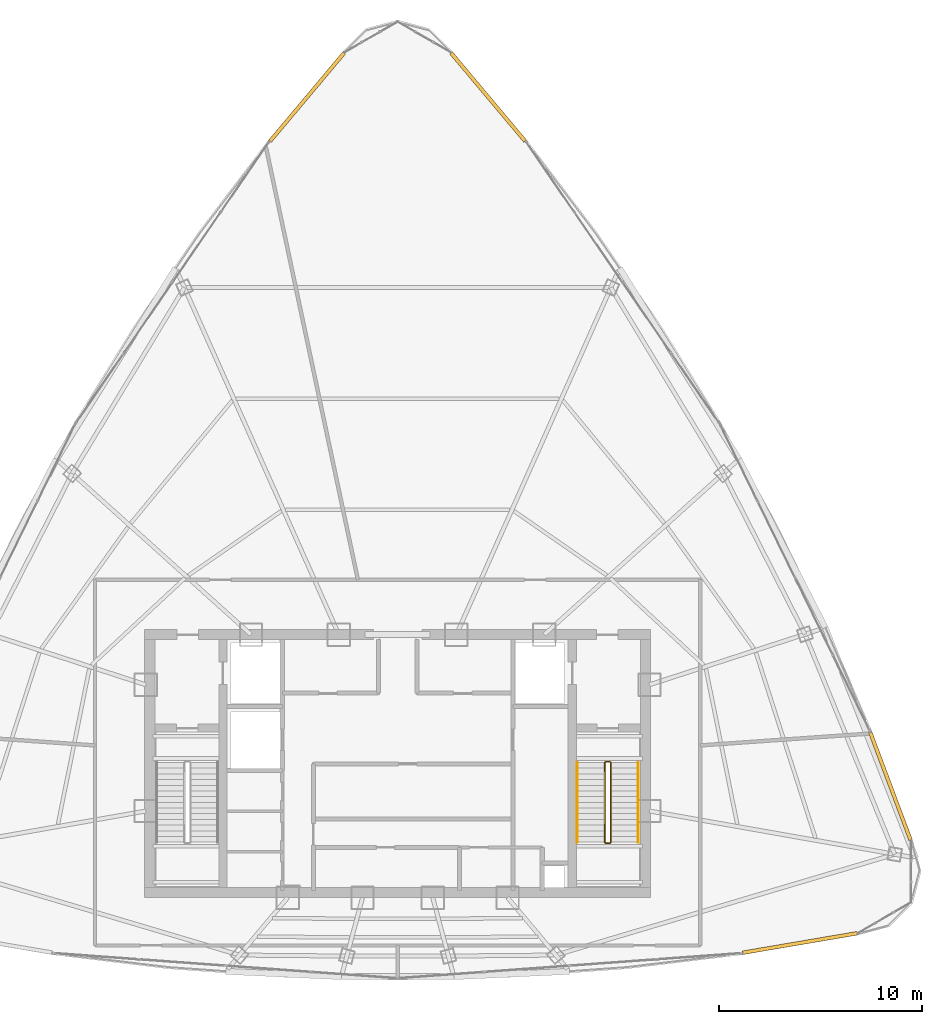
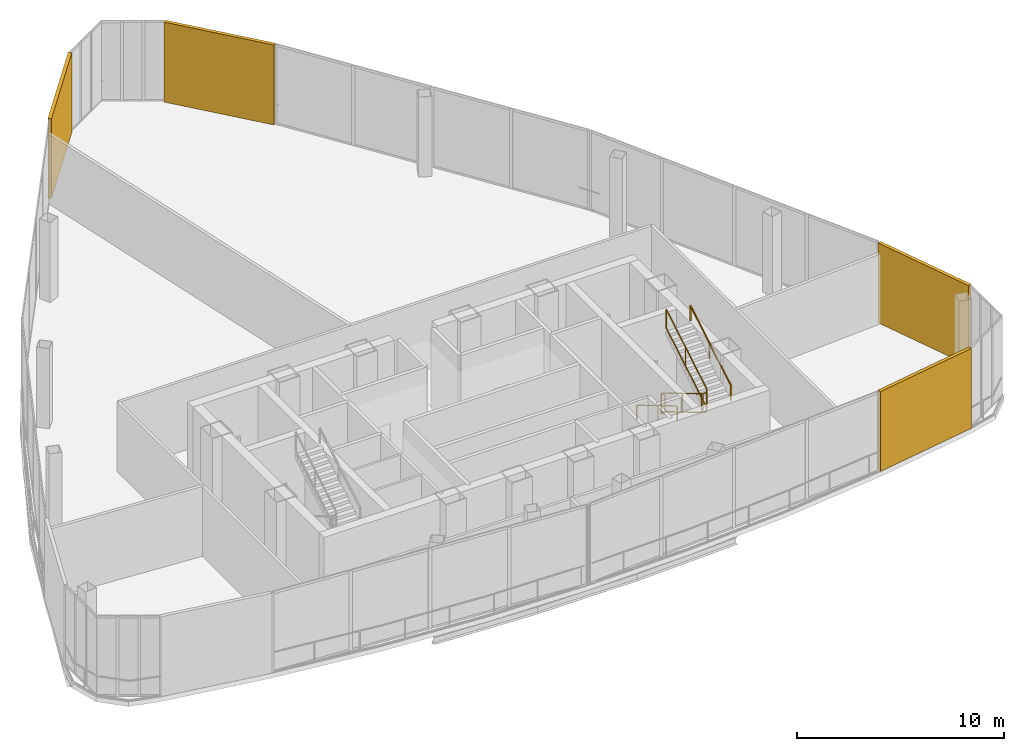
# One storey, part 33 of 33: 6 railings, 4 shading devices.
"""IFC4 building model written with IfcOpenShell, lengths in metres."""

from ifc_helpers import new_model, si_unit, direction, frame, origin, origin_2d, place, context, subcontext, project, spatial, rectangle, extrude, source, transform, mapped, material, layer, layer_set, type_object, element, save


model = new_model("IFC4")

# Units and contexts
model_context = context("Model", 3, precision=1e-05, world=origin(), true_north=direction((0.0, 1.0)))
body_context = subcontext(model_context, "Body", "Model", "MODEL_VIEW")
ifc_project = project(units=[si_unit("LENGTHUNIT", "METRE"), si_unit("AREAUNIT", "SQUARE_METRE"), si_unit("VOLUMEUNIT", "CUBIC_METRE"), si_unit("PLANEANGLEUNIT", "RADIAN"), si_unit("MASSUNIT", "GRAM", prefix="KILO"), si_unit("THERMODYNAMICTEMPERATUREUNIT", "KELVIN"), si_unit("POWERUNIT", "WATT")], contexts=[model_context])

# Site, building, storey
site_placement = place(None, origin())
site = spatial("IfcSite", under=ifc_project, at=site_placement, CompositionType="ELEMENT")
building_placement = place(site_placement, origin())
building = spatial("IfcBuilding", under=site, at=building_placement, Name="Yunzhuo Pagoda Commons", CompositionType="ELEMENT")
storey_placement = place(building_placement, frame((0.0, 0.0, 391.760009765625)))
storey = spatial("IfcBuildingStorey", under=building, at=storey_placement, Name="L97", CompositionType="ELEMENT", Elevation=391.760009765625)

# Railings
ifc_material = material(Name="Anodized aluminium 6063-T6", Category="aluminium")
railing_type_1 = type_object("IfcRailingType", Name="GR-ST2 Stair Well Guardrail 1160", PredefinedType="GUARDRAIL", material=ifc_material)
railing_1_placement = place(storey_placement, frame((58.199951171875, 33.89990234375, 0.166748046875)))
element("IfcRailing", 1, at=railing_1_placement, inside=storey, type_object=railing_type_1, Name="L97 ST2 stair guard 1", PredefinedType="GUARDRAIL", context=body_context, shape_type="SweptSolid", body=[
    extrude(rectangle(XDim=0.048095703125, YDim=0.048095703125, at=origin_2d()), frame((0.0, 0.0, 1.1259765625), z_axis=(0.0, -0.859296244711, 0.511478214419), x_axis=(1.0, 0.0, 0.0)), (0.0, 0.0, 1.0), 4.561767578125),
    extrude(rectangle(XDim=0.048095703125, YDim=0.048095703125, at=origin_2d()), frame((0.0, 0.0, 0.02392578125), z_axis=(0.0, -0.859296244711, 0.511478214419), x_axis=(1.0, 0.0, 0.0)), (0.0, 0.0, 1.0), 4.561767578125),
    extrude(rectangle(XDim=0.0419921875, YDim=0.0419921875, at=origin_2d()), origin(), (0.0, 0.0, 1.0), 1.101806640625),
    extrude(rectangle(XDim=0.0419921875, YDim=0.0419921875, at=origin_2d()), frame((0.0, -2.062255859375, 1.2275390625)), (0.0, 0.0, 1.0), 1.101806640625),
    extrude(rectangle(XDim=0.0419921875, YDim=0.0419921875, at=origin_2d()), frame((0.0, -3.919921875, 2.333251953125)), (0.0, 0.0, 1.0), 1.101806640625),
])
railing_2_placement = place(storey_placement, frame((58.25, 29.929931640625, 2.5)))
element("IfcRailing", 2, at=railing_2_placement, inside=storey, type_object=railing_type_1, Name="L97 ST2 stair guard 2", PredefinedType="GUARDRAIL", context=body_context, shape_type="SweptSolid", body=[
    extrude(rectangle(XDim=0.048095703125, YDim=0.048095703125, at=origin_2d()), frame((0.0, 0.0, 1.1259765625), z_axis=(1.0, 0.0, 0.0), x_axis=(0.0, 1.0, 0.0)), (0.0, 0.0, 1.0), 0.199951171875),
    extrude(rectangle(XDim=0.048095703125, YDim=0.048095703125, at=origin_2d()), frame((0.0, 0.0, 0.02392578125), z_axis=(1.0, 0.0, 0.0), x_axis=(0.0, 1.0, 0.0)), (0.0, 0.0, 1.0), 0.199951171875),
    extrude(rectangle(XDim=0.0419921875, YDim=0.0419921875, at=origin_2d()), origin(), (0.0, 0.0, 1.0), 1.101806640625),
    extrude(rectangle(XDim=0.0419921875, YDim=0.0419921875, at=origin_2d()), frame((0.199951171875, 0.0, 0.0)), (0.0, 0.0, 1.0), 1.101806640625),
])
railing_3_placement = place(storey_placement, frame((58.5, 29.97998046875, 2.666748046875)))
element("IfcRailing", 3, at=railing_3_placement, inside=storey, type_object=railing_type_1, Name="L97 ST2 stair guard 3", PredefinedType="GUARDRAIL", context=body_context, shape_type="SweptSolid", body=[
    extrude(rectangle(XDim=0.048095703125, YDim=0.048095703125, at=origin_2d()), frame((0.0, 0.0, 1.1259765625), z_axis=(0.0, 0.859296244711, 0.511478214419), x_axis=(-1.0, 0.0, 0.0)), (0.0, 0.0, 1.0), 4.561767578125),
    extrude(rectangle(XDim=0.048095703125, YDim=0.048095703125, at=origin_2d()), frame((0.0, 0.0, 0.02392578125), z_axis=(0.0, 0.859296244711, 0.511478214419), x_axis=(-1.0, 0.0, 0.0)), (0.0, 0.0, 1.0), 4.561767578125),
    extrude(rectangle(XDim=0.0419921875, YDim=0.0419921875, at=origin_2d()), origin(), (0.0, 0.0, 1.0), 1.101806640625),
    extrude(rectangle(XDim=0.0419921875, YDim=0.0419921875, at=origin_2d()), frame((0.0, 2.062255859375, 1.2275390625)), (0.0, 0.0, 1.0), 1.101806640625),
    extrude(rectangle(XDim=0.0419921875, YDim=0.0419921875, at=origin_2d()), frame((0.0, 3.919921875, 2.333251953125)), (0.0, 0.0, 1.0), 1.101806640625),
])
railing_4_placement = place(storey_placement, frame((58.25, 33.949951171875, 0.0)))
element("IfcRailing", 4, at=railing_4_placement, inside=storey, type_object=railing_type_1, Name="L97 ST2 stair guard 4", PredefinedType="GUARDRAIL", context=body_context, shape_type="SweptSolid", body=[
    extrude(rectangle(XDim=0.048095703125, YDim=0.048095703125, at=origin_2d()), frame((0.0, 0.0, 1.1259765625), z_axis=(1.0, 0.0, 0.0), x_axis=(0.0, 1.0, 0.0)), (0.0, 0.0, 1.0), 0.199951171875),
    extrude(rectangle(XDim=0.048095703125, YDim=0.048095703125, at=origin_2d()), frame((0.0, 0.0, 0.02392578125), z_axis=(1.0, 0.0, 0.0), x_axis=(0.0, 1.0, 0.0)), (0.0, 0.0, 1.0), 0.199951171875),
    extrude(rectangle(XDim=0.0419921875, YDim=0.0419921875, at=origin_2d()), origin(), (0.0, 0.0, 1.0), 1.101806640625),
    extrude(rectangle(XDim=0.0419921875, YDim=0.0419921875, at=origin_2d()), frame((0.199951171875, 0.0, 0.0)), (0.0, 0.0, 1.0), 1.101806640625),
])
railing_type_2 = type_object("IfcRailingType", Name="HR-ST2 Stair Handrail 900", PredefinedType="HANDRAIL", material=ifc_material)
railing_5_placement = place(storey_placement, frame((56.85009765625, 33.89990234375, 0.166748046875)))
element("IfcRailing", 5, at=railing_5_placement, inside=storey, type_object=railing_type_2, Name="L97 ST2 stair handrail 1", PredefinedType="HANDRAIL", context=body_context, shape_type="SweptSolid", body=[
    extrude(rectangle(XDim=0.048095703125, YDim=0.048095703125, at=origin_2d()), frame((0.0, 0.0, 0.8759765625), z_axis=(0.0, -0.859296244711, 0.511478214419), x_axis=(1.0, 0.0, 0.0)), (0.0, 0.0, 1.0), 4.561767578125),
    extrude(rectangle(XDim=0.0419921875, YDim=0.0419921875, at=origin_2d()), origin(), (0.0, 0.0, 1.0), 0.851806640625),
    extrude(rectangle(XDim=0.0419921875, YDim=0.0419921875, at=origin_2d()), frame((0.0, -2.062255859375, 1.2275390625)), (0.0, 0.0, 1.0), 0.851806640625),
    extrude(rectangle(XDim=0.0419921875, YDim=0.0419921875, at=origin_2d()), frame((0.0, -3.919921875, 2.333251953125)), (0.0, 0.0, 1.0), 0.851806640625),
])
railing_6_placement = place(storey_placement, frame((59.85009765625, 29.97998046875, 2.666748046875)))
element("IfcRailing", 6, at=railing_6_placement, inside=storey, type_object=railing_type_2, Name="L97 ST2 stair handrail 2", PredefinedType="HANDRAIL", context=body_context, shape_type="SweptSolid", body=[
    extrude(rectangle(XDim=0.048095703125, YDim=0.048095703125, at=origin_2d()), frame((0.0, 0.0, 0.8759765625), z_axis=(0.0, 0.859296244711, 0.511478214419), x_axis=(-1.0, 0.0, 0.0)), (0.0, 0.0, 1.0), 4.561767578125),
    extrude(rectangle(XDim=0.0419921875, YDim=0.0419921875, at=origin_2d()), origin(), (0.0, 0.0, 1.0), 0.851806640625),
    extrude(rectangle(XDim=0.0419921875, YDim=0.0419921875, at=origin_2d()), frame((0.0, 2.062255859375, 1.2275390625)), (0.0, 0.0, 1.0), 0.851806640625),
    extrude(rectangle(XDim=0.0419921875, YDim=0.0419921875, at=origin_2d()), frame((0.0, 3.919921875, 2.333251953125)), (0.0, 0.0, 1.0), 0.851806640625),
])

# Shading devices
ifc_layer = layer(ifc_material, 0.179931640625)
ifc_layer_set = layer_set([ifc_layer], Name="Anodized aluminium 6063-T6")
shading_device_type = type_object("IfcShadingDeviceType", Name="SH-SCR2 Crown Drum Acoustic Louvre Screen", PredefinedType="JALOUSIE", material=ifc_layer_set)
shared_shape_1 = source(origin(), body_context, "Body", "SweptSolid", [
    extrude(rectangle(XDim=5.72314453125, YDim=0.179931640625, at=origin_2d()), origin(), (0.0, 0.0, 1.0), 4.719970703125),
])
shading_device_placement = place(storey_placement, frame((67.798583984375, 25.014404296875, 0.0), z_axis=(0.0, 0.0, 1.0), x_axis=(0.985803279142, 0.16790442172, 0.0)))
element("IfcShadingDevice", 7, at=shading_device_placement, inside=storey, type_object=shading_device_type, Name="L97 crown plant drum screen F1.7", PredefinedType="JALOUSIE", context=body_context, shape_type="MappedRepresentation", body=[
    mapped(shared_shape_1, transform((0.0, 0.0, 0.0), scale=1.0)),
])
shared_shape_2 = source(origin(), body_context, "Body", "SweptSolid", [
    extrude(rectangle(XDim=5.67724609375, YDim=0.179931640625, at=origin_2d()), origin(), (0.0, 0.0, 1.0), 4.719970703125),
])
for number, where, z_axis, x_axis, name in (
    (8, (72.258544921875, 32.74169921875, 0.0), (0.0, 0.0, 1.0), (-0.350697773643, 0.936488692704, 0.0), "L97 crown plant drum screen F2.0"),
    (9, (52.460205078125, 66.658203125, 0.0), (0.0, 0.0, 1.0), (-0.643014871351, 0.76585369048, 0.0), "L97 crown plant drum screen F2.7"),
    (10, (43.539794921875, 66.658203125, 0.0), (0.0, 0.0, 1.0), (-0.643014871351, -0.76585369048, 0.0), "L97 crown plant drum screen F3.0"),
):
    element("IfcShadingDevice", number, at=place(storey_placement, frame(where, z_axis=z_axis, x_axis=x_axis)), inside=storey, type_object=shading_device_type, Name=name, PredefinedType="JALOUSIE", context=body_context, shape_type="MappedRepresentation", body=[
        mapped(shared_shape_2, transform((0.0, 0.0, 0.0), scale=1.0)),
    ])

save(model, "model.ifc")
